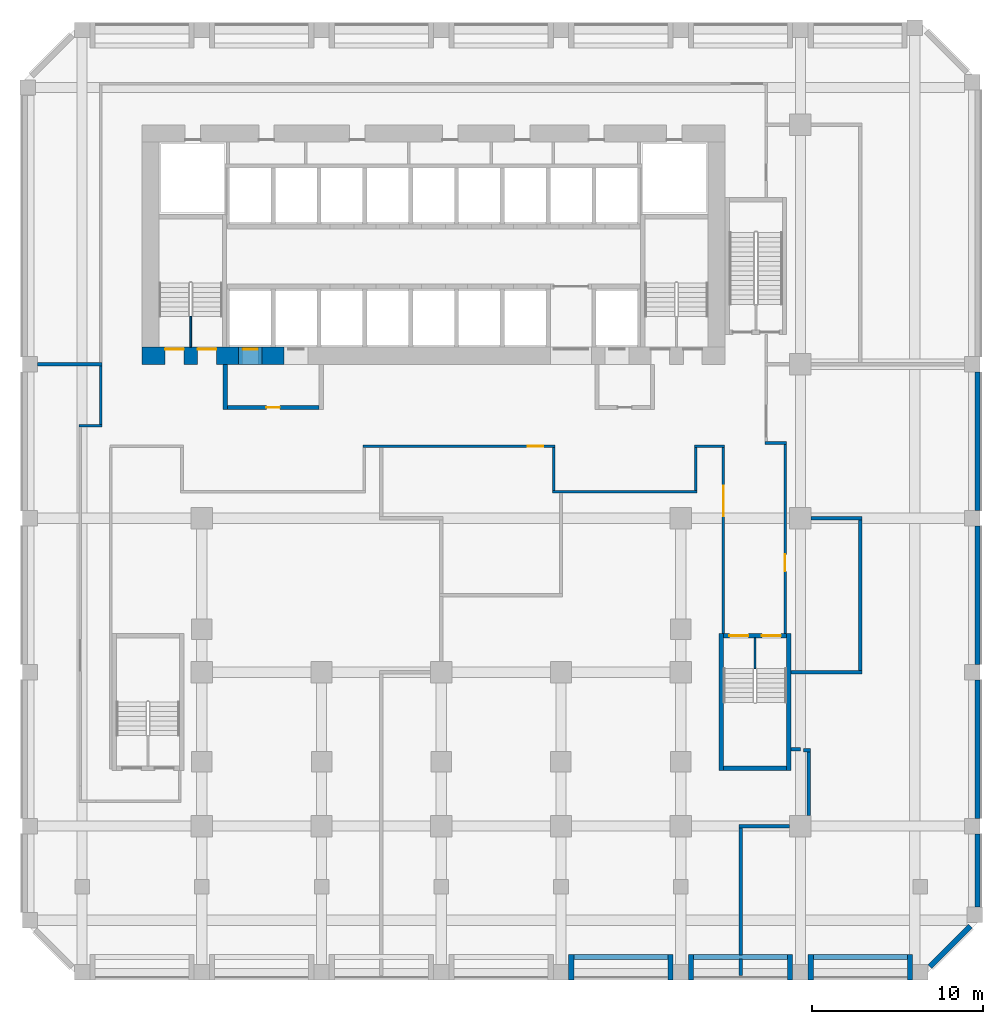
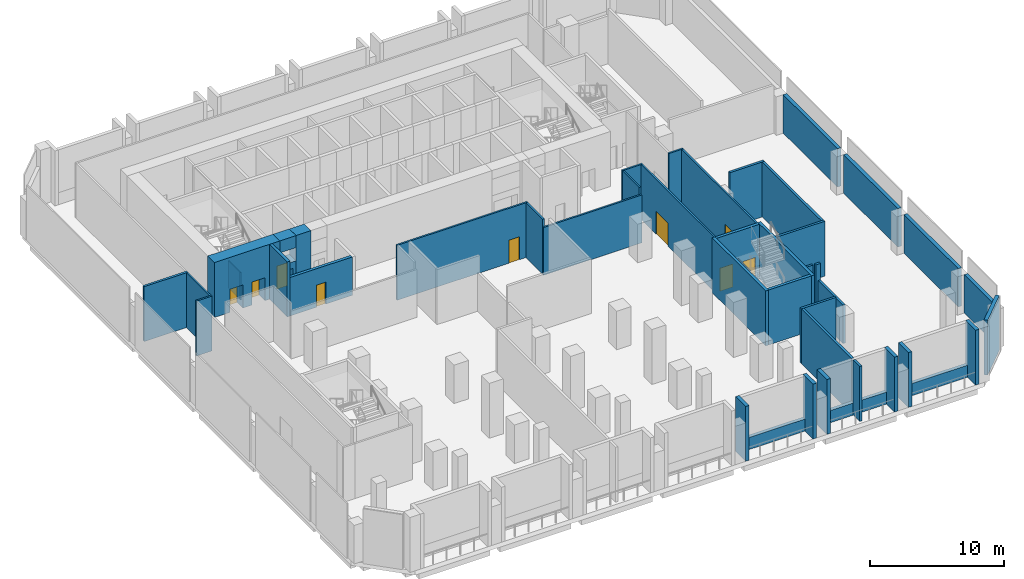
# One storey, part 3 of 10: 46 walls, 9 doors, 9 openings.
"""IFC4 building model written with IfcOpenShell, lengths in metres."""

import ifcopenshell
import ifcopenshell.guid

model = None  # the IFC model being written
_history = None  # IfcOwnerHistory: only IFC2X3 demands one
_inside = {}  # id of a spatial element -> (the spatial element, [elements in it])
_under = {}  # id of a project, library or spatial element -> (it, [spatial elements below it])
_declared = {}  # id of a project -> (the project, [libraries it declares])
_typed = {}  # id of a type object -> (the type object, [elements of that type])
_made_of = {}  # id of a material, layer set ... -> (it, [elements and type objects made of it])


def new_model(schema):
    """Start an empty IFC model of exactly this schema.

    Asked for "IFC4X3", IfcOpenShell would pick the latest addendum, in which some entities
    have other attributes; the version numbers below select the first issue.
    IFC2X3 requires an IfcOwnerHistory on every rooted entity: one is made here for all.
    """
    global model, _history
    if schema == "IFC4X3":
        model = ifcopenshell.file(schema_version=(4, 3, 0, 0))
    else:
        model = ifcopenshell.file(schema=schema)
    _inside.clear()
    _under.clear()
    _declared.clear()
    _typed.clear()
    _made_of.clear()
    _history = None
    if model.schema == "IFC2X3":
        org = make("IfcOrganization", Name="unknown")
        user = make(
            "IfcPersonAndOrganization",
            ThePerson=make("IfcPerson", FamilyName="unknown"),
            TheOrganization=org,
        )
        app = make(
            "IfcApplication",
            ApplicationDeveloper=org,
            Version="unknown",
            ApplicationFullName="unknown",
            ApplicationIdentifier="unknown",
        )
        _history = make(
            "IfcOwnerHistory",
            OwningUser=user,
            OwningApplication=app,
            ChangeAction="ADDED",
            CreationDate=0,
        )
    return model


def make(cls, **values):
    """One entity of the class cls with the attributes given. An attribute that is None is left unset."""
    return model.create_entity(
        cls, **{name: value for name, value in values.items() if value is not None}
    )


def rooted(cls, **values):
    """An entity with a GlobalId (a new one), such as an element, a storey or a relation."""
    return make(cls, GlobalId=ifcopenshell.guid.new(), OwnerHistory=_history, **values)


def si_unit(unit_type, name, prefix=None):
    """IfcSIUnit, for example si_unit("LENGTHUNIT", "METRE", prefix="MILLI")."""
    return make("IfcSIUnit", UnitType=unit_type, Prefix=prefix, Name=name)


def assignment(units):
    """IfcUnitAssignment: the units of a project."""
    return None if units is None else make("IfcUnitAssignment", Units=units)


def point(xyz):
    """IfcCartesianPoint."""
    return None if xyz is None else make("IfcCartesianPoint", Coordinates=xyz)


def direction(xyz):
    """IfcDirection."""
    return None if xyz is None else make("IfcDirection", DirectionRatios=xyz)


def frame(location, z_axis=None, x_axis=None):
    """IfcAxis2Placement3D, a coordinate frame: its origin and axes. An axis left out is left unset."""
    return make(
        "IfcAxis2Placement3D",
        Location=point(location),
        Axis=direction(z_axis),
        RefDirection=direction(x_axis),
    )


def frame_2d(location, x_axis=None):
    """IfcAxis2Placement2D, a coordinate frame in the plane: its origin and x axis."""
    return make(
        "IfcAxis2Placement2D", Location=point(location), RefDirection=direction(x_axis)
    )


def origin():
    """The frame at (0, 0, 0) with its axes left unset."""
    return frame((0.0, 0.0, 0.0))


def place(relative_to, where):
    """IfcLocalPlacement: puts the frame where relative to a parent placement (None: the world)."""
    return make(
        "IfcLocalPlacement", PlacementRelTo=relative_to, RelativePlacement=where
    )


def context(
    kind, dimensions, precision=None, world=None, true_north=None, identifier=None
):
    """IfcGeometricRepresentationContext, for example the 3D "Model" context."""
    return make(
        "IfcGeometricRepresentationContext",
        ContextIdentifier=identifier,
        ContextType=kind,
        CoordinateSpaceDimension=dimensions,
        Precision=precision,
        WorldCoordinateSystem=world,
        TrueNorth=true_north,
    )


def subcontext(parent, identifier, kind, view, scale=None):
    """IfcGeometricRepresentationSubContext, for example "Body" below "Model"."""
    return make(
        "IfcGeometricRepresentationSubContext",
        ContextIdentifier=identifier,
        ContextType=kind,
        ParentContext=parent,
        TargetScale=scale,
        TargetView=view,
    )


def project(units=None, contexts=None):
    """IfcProject with its units and contexts."""
    return rooted(
        "IfcProject",
        Name="project",
        RepresentationContexts=contexts,
        UnitsInContext=assignment(units),
    )


def spatial(cls, under=None, at=None, **own):
    """A site, building, storey or space (cls), placed at a placement, below another one or the project."""
    s = rooted(cls, ObjectPlacement=at, **own)
    if under is not None:
        _under.setdefault(under.id(), (under, []))[1].append(s)
    return s


def profile(cls, at=None, kind="AREA", **sizes):
    """A parametric profile (cls). Its sizes go by their IFC names, for example OverallWidth=200.0."""
    return make(cls, ProfileType=kind, Position=at, **sizes)


def rectangle(**sizes):
    """IfcRectangleProfileDef."""
    return profile("IfcRectangleProfileDef", **sizes)


def extrude(swept, where, along, depth):
    """IfcExtrudedAreaSolid: the profile swept, set in the frame where, extruded along a direction by depth."""
    return make(
        "IfcExtrudedAreaSolid",
        SweptArea=swept,
        Position=where,
        ExtrudedDirection=direction(along),
        Depth=depth,
    )


def shape(context_of_items, identifier, shape_type, items):
    """IfcShapeRepresentation: the items that make up one representation, for example the "Body"."""
    return make(
        "IfcShapeRepresentation",
        ContextOfItems=context_of_items,
        RepresentationIdentifier=identifier,
        RepresentationType=shape_type,
        Items=items,
    )


def source(mapping_origin, context_of_items, identifier, shape_type, items):
    """IfcRepresentationMap: a shape defined once, which mapped items show again and again."""
    return make(
        "IfcRepresentationMap",
        MappingOrigin=mapping_origin,
        MappedRepresentation=shape(context_of_items, identifier, shape_type, items),
    )


def transform(
    local_origin,
    x_axis=None,
    y_axis=None,
    z_axis=None,
    scale=None,
    scale2=None,
    scale3=None,
    uniform=True,
):
    """IfcCartesianTransformationOperator3D, or its non-uniform kind. x_axis, y_axis, z_axis: its Axis1, 2, 3."""
    if uniform:
        return make(
            "IfcCartesianTransformationOperator3D",
            Axis1=direction(x_axis),
            Axis2=direction(y_axis),
            LocalOrigin=point(local_origin),
            Scale=scale,
            Axis3=direction(z_axis),
        )
    return make(
        "IfcCartesianTransformationOperator3DnonUniform",
        Axis1=direction(x_axis),
        Axis2=direction(y_axis),
        LocalOrigin=point(local_origin),
        Scale=scale,
        Axis3=direction(z_axis),
        Scale2=scale2,
        Scale3=scale3,
    )


def mapped(mapping_source, mapping_target):
    """IfcMappedItem: shows the shape of a source again, moved by a transform."""
    return make(
        "IfcMappedItem", MappingSource=mapping_source, MappingTarget=mapping_target
    )


def material(Name=None, Category=None):
    """IfcMaterial."""
    return make("IfcMaterial", Name=Name, Category=Category)


def layer(
    of_material, thickness, ventilated=None, Name=None, Category=None, Priority=None
):
    """IfcMaterialLayer: one layer of a wall or slab, of a material (None: an air gap)."""
    return make(
        "IfcMaterialLayer",
        Material=of_material,
        LayerThickness=thickness,
        IsVentilated=ventilated,
        Name=Name,
        Category=Category,
        Priority=Priority,
    )


def layer_set(layers, Name=None):
    """IfcMaterialLayerSet."""
    return make("IfcMaterialLayerSet", MaterialLayers=layers, LayerSetName=Name)


def made_of(thing, what):
    """Note that an element or type object is made of a material, layer set ...; save() writes the relation."""
    if what is not None:
        _made_of.setdefault(what.id(), (what, []))[1].append(thing)
    return thing


def type_object(cls, material=None, **own):
    """A type object (cls), such as IfcWallType, which elements share."""
    return made_of(rooted(cls, **own), material)


def element(
    cls,
    number,
    at=None,
    inside=None,
    cuts=None,
    type_object=None,
    material=None,
    context=None,
    identifier="Body",
    shape_type=None,
    held_by="IfcProductDefinitionShape",
    body=None,
    shapes=None,
    **own,
):
    """One element of the class cls, such as IfcWall. Its Tag is "e" and its number.

    at: its placement. inside: the storey or other place that contains it. cuts: it is an
    opening in that element (IfcRelVoidsElement). A single representation is given by context,
    identifier, shape_type and body (its items); several are given by shapes. held_by: the class
    of the entity that holds the representations. save() writes the other relations.
    """
    e = rooted(cls, Tag="e%d" % number, ObjectPlacement=at, **own)
    if body is not None:
        shapes = [shape(context, identifier, shape_type, body)]
    if shapes is not None:
        e.Representation = make(held_by, Representations=shapes)
    if inside is not None:
        _inside.setdefault(inside.id(), (inside, []))[1].append(e)
    if cuts is not None:
        rooted(
            "IfcRelVoidsElement", RelatingBuildingElement=cuts, RelatedOpeningElement=e
        )
    if type_object is not None:
        _typed.setdefault(type_object.id(), (type_object, []))[1].append(e)
    return made_of(e, material)


def fill(opening, filler):
    """IfcRelFillsElement: the door or window that sits in an opening."""
    return rooted(
        "IfcRelFillsElement",
        RelatingOpeningElement=opening,
        RelatedBuildingElement=filler,
    )


def aggregate(whole, parts):
    """IfcRelAggregates: a whole, such as a stair, and the parts it consists of."""
    return rooted("IfcRelAggregates", RelatingObject=whole, RelatedObjects=parts)


def save(model, path):
    """Write the relations noted so far, then the file.

    IfcRelAggregates (storeys below a building ...), IfcRelContainedInSpatialStructure (elements
    in a storey), IfcRelDefinesByType, IfcRelAssociatesMaterial and IfcRelDeclares: one each for
    every whole, place, type object, material and project.
    """
    for whole, parts in _under.values():
        aggregate(whole, parts)
    for where, things in _inside.values():
        rooted(
            "IfcRelContainedInSpatialStructure",
            RelatedElements=things,
            RelatingStructure=where,
        )
    for kind, things in _typed.values():
        rooted("IfcRelDefinesByType", RelatedObjects=things, RelatingType=kind)
    for what, things in _made_of.values():
        rooted("IfcRelAssociatesMaterial", RelatedObjects=things, RelatingMaterial=what)
    for by, libraries in _declared.values():
        rooted("IfcRelDeclares", RelatingContext=by, RelatedDefinitions=libraries)
    model.write(path)


model = new_model("IFC4")

# Units and contexts
model_context = context("Model", 3, precision=1e-05, world=origin(), true_north=direction((0.0, 1.0)))
body_context = subcontext(model_context, "Body", "Model", "MODEL_VIEW")
ifc_project = project(units=[si_unit("LENGTHUNIT", "METRE"), si_unit("AREAUNIT", "SQUARE_METRE"), si_unit("VOLUMEUNIT", "CUBIC_METRE"), si_unit("PLANEANGLEUNIT", "RADIAN"), si_unit("MASSUNIT", "GRAM", prefix="KILO")], contexts=[model_context])

# Site, building, storey
site_placement = place(None, origin())
site = spatial("IfcSite", under=ifc_project, at=site_placement, CompositionType="ELEMENT")
building_placement = place(site_placement, origin())
building = spatial("IfcBuilding", under=site, at=building_placement, Name="Kilnfold Tower and Market Hall", CompositionType="ELEMENT")
storey_placement = place(building_placement, frame((0.0, 0.0, 95.199951171875)))
storey = spatial("IfcBuildingStorey", under=building, at=storey_placement, Name="L22 Refuge Transfer Level", CompositionType="ELEMENT", Elevation=95.199951171875)

# Walls
ifc_material_1 = material(Name="Gypsum board on steel studs", Category="steel")
ifc_layer_1 = layer(ifc_material_1, 0.14990234375)
ifc_layer_set_1 = layer_set([ifc_layer_1], Name="Gypsum board on steel studs")
wall_type_1 = type_object("IfcWallType", Name="WALL CORRIDOR 150", PredefinedType="PARTITIONING", material=ifc_layer_set_1)
wall_1_placement = place(storey_placement, frame((-18.324951171875, 4.39990234375, 0.0), z_axis=(0.0, 0.0, 1.0), x_axis=(-1.0, 0.0, 0.0)))
element("IfcWall", 1, at=wall_1_placement, inside=storey, type_object=wall_type_1, Name="Partition LY15.2", PredefinedType="PARTITIONING", context=body_context, shape_type="SweptSolid", body=[
    extrude(rectangle(XDim=1.35009765625, YDim=0.14990234375, at=frame_2d((0.675048828125, 0.0))), origin(), (0.0, 0.0, 1.0), 5.0),
])
wall_2_placement = place(storey_placement, frame((-18.39990234375, 4.47509765625, 0.0), z_axis=(0.0, 0.0, 1.0), x_axis=(0.0, 1.0, 0.0)))
element("IfcWall", 2, at=wall_2_placement, inside=storey, type_object=wall_type_1, Name="Partition LY15.3", PredefinedType="PARTITIONING", context=body_context, shape_type="SweptSolid", body=[
    extrude(rectangle(XDim=3.434814453125, YDim=0.14990234375, at=frame_2d((1.71728515625, 0.0))), origin(), (0.0, 0.0, 1.0), 5.0),
])

# Wall, opening, door
wall_3_placement = place(storey_placement, frame((-3.074951171875, 3.199951171875, 0.0), z_axis=(0.0, 0.0, 1.0), x_axis=(1.0, 0.0, 0.0)))
wall_3 = element("IfcWall", 3, at=wall_3_placement, inside=storey, type_object=wall_type_1, Name="Partition LY15.4", PredefinedType="PARTITIONING", context=body_context, shape_type="SweptSolid", body=[
    extrude(rectangle(XDim=11.22998046875, YDim=0.14990234375, at=frame_2d((5.614990234375, 0.0))), origin(), (0.0, 0.0, 1.0), 5.0),
])
opening_1_placement = place(wall_3_placement, frame((9.6259765625, 0.0, 0.0)))
opening_1 = element("IfcOpeningElement", 4, at=opening_1_placement, cuts=wall_3, Name="Opening D2", PredefinedType="OPENING", context=body_context, shape_type="SweptSolid", body=[
    extrude(rectangle(XDim=0.89990234375, YDim=2.10009765625, at=frame_2d((0.449951171875, 1.050048828125))), frame((0.0, 0.0849609375, 0.0), z_axis=(0.0, -1.0, 0.0), x_axis=(1.0, 0.0, 0.0)), (0.0, 0.0, 1.0), 0.169921875),
])
ifc_material_2 = material(Name="Timber veneer door leaf in steel frame", Category="steel")
door_type_1 = type_object("IfcDoorType", Name="DOOR ROOM 900 X2100", OperationType="NOTDEFINED", PredefinedType="DOOR", material=ifc_material_2)
door_1_placement = place(opening_1_placement, origin())
door_1 = element("IfcDoor", 5, at=door_1_placement, inside=storey, type_object=door_type_1, Name="Door D2", OperationType="SINGLE_SWING_RIGHT", OverallHeight=2.10009765625, OverallWidth=0.89990234375, PredefinedType="DOOR", context=body_context, shape_type="SweptSolid", body=[
    extrude(rectangle(XDim=0.89990234375, YDim=2.10009765625, at=frame_2d((0.449951171875, 1.050048828125))), frame((0.0, 0.02490234375, 0.0), z_axis=(0.0, -1.0, 0.0), x_axis=(1.0, 0.0, 0.0)), (0.0, 0.0, 1.0), 0.050048828125),
])
fill(opening_1, door_1)

# Walls
wall_4_placement = place(storey_placement, frame((8.0048828125, 0.550048828125, 0.0), z_axis=(0.0, 0.0, 1.0), x_axis=(1.0, 0.0, 0.0)))
element("IfcWall", 6, at=wall_4_placement, inside=storey, type_object=wall_type_1, Name="Partition LY15.14", PredefinedType="PARTITIONING", context=body_context, shape_type="SweptSolid", body=[
    extrude(rectangle(XDim=8.4501953125, YDim=0.14990234375, at=frame_2d((4.22509765625, 0.0))), origin(), (0.0, 0.0, 1.0), 4.35009765625),
])
wall_5_placement = place(storey_placement, frame((8.080078125, 3.125, 0.0), z_axis=(0.0, 0.0, 1.0), x_axis=(0.0, -1.0, 0.0)))
element("IfcWall", 7, at=wall_5_placement, inside=storey, type_object=wall_type_1, Name="Partition LY15.15", PredefinedType="PARTITIONING", context=body_context, shape_type="SweptSolid", body=[
    extrude(rectangle(XDim=2.5, YDim=0.14990234375, at=frame_2d((1.25, 0.0))), origin(), (0.0, 0.0, 1.0), 5.0),
])

# Wall, opening, door
wall_6_placement = place(storey_placement, frame((18.0, 3.125, 0.0), z_axis=(0.0, 0.0, 1.0), x_axis=(0.0, -1.0, 0.0)))
wall_6 = element("IfcWall", 8, at=wall_6_placement, inside=storey, type_object=wall_type_1, Name="Partition LY15.16", PredefinedType="PARTITIONING", context=body_context, shape_type="SweptSolid", body=[
    extrude(rectangle(XDim=10.875, YDim=0.14990234375, at=frame_2d((5.4375, 0.0))), origin(), (0.0, 0.0, 1.0), 5.0),
])
opening_2_placement = place(wall_6_placement, frame((2.217041015625, 0.0, 0.0)))
opening_2 = element("IfcOpeningElement", 9, at=opening_2_placement, cuts=wall_6, Name="Opening D5", PredefinedType="OPENING", context=body_context, shape_type="SweptSolid", body=[
    extrude(rectangle(XDim=1.800048828125, YDim=2.10009765625, at=frame_2d((0.89990234375, 1.050048828125))), frame((0.0, 0.0849609375, 0.0), z_axis=(0.0, -1.0, 0.0), x_axis=(1.0, 0.0, 0.0)), (0.0, 0.0, 1.0), 0.169921875),
])
ifc_material_3 = material(Name="Timber veneer door leaf in steel frame", Category="steel")
door_type_2 = type_object("IfcDoorType", Name="DOOR DOUBLE 1800 X2100", OperationType="NOTDEFINED", PredefinedType="DOOR", material=ifc_material_3)
door_2_placement = place(opening_2_placement, origin())
door_2 = element("IfcDoor", 10, at=door_2_placement, inside=storey, type_object=door_type_2, Name="Door D5", OperationType="DOUBLE_DOOR_SINGLE_SWING", OverallHeight=2.10009765625, OverallWidth=1.800048828125, PredefinedType="DOOR", context=body_context, shape_type="SweptSolid", body=[
    extrude(rectangle(XDim=1.800048828125, YDim=2.10009765625, at=frame_2d((0.89990234375, 1.050048828125))), frame((0.0, 0.02490234375, 0.0), z_axis=(0.0, -1.0, 0.0), x_axis=(1.0, 0.0, 0.0)), (0.0, 0.0, 1.0), 0.050048828125),
])
fill(opening_2, door_2)

# Walls
wall_7_placement = place(storey_placement, frame((16.304931640625, 3.199951171875, 0.0), z_axis=(0.0, 0.0, 1.0), x_axis=(1.0, 0.0, 0.0)))
element("IfcWall", 11, at=wall_7_placement, inside=storey, type_object=wall_type_1, Name="Partition LY15.17", PredefinedType="PARTITIONING", context=body_context, shape_type="SweptSolid", body=[
    extrude(rectangle(XDim=1.77001953125, YDim=0.14990234375, at=frame_2d((0.885009765625, 0.0))), origin(), (0.0, 0.0, 1.0), 5.0),
])
wall_8_placement = place(storey_placement, frame((16.3798828125, 0.625, 0.0), z_axis=(0.0, 0.0, 1.0), x_axis=(0.0, 1.0, 0.0)))
element("IfcWall", 12, at=wall_8_placement, inside=storey, type_object=wall_type_1, Name="Partition LY15.18", PredefinedType="PARTITIONING", context=body_context, shape_type="SweptSolid", body=[
    extrude(rectangle(XDim=2.5, YDim=0.14990234375, at=frame_2d((1.25, 0.0))), origin(), (0.0, 0.0, 1.0), 5.0),
])

# Wall, opening, door
wall_9_placement = place(storey_placement, frame((21.60009765625, -7.75, 0.0), z_axis=(0.0, 0.0, 1.0), x_axis=(0.0, 1.0, 0.0)))
wall_9 = element("IfcWall", 13, at=wall_9_placement, inside=storey, type_object=wall_type_1, Name="Partition LY15.19", PredefinedType="PARTITIONING", context=body_context, shape_type="SweptSolid", body=[
    extrude(rectangle(XDim=11.074951171875, YDim=0.14990234375, at=frame_2d((5.53759765625, 0.0))), origin(), (0.0, 0.0, 1.0), 5.0),
])
opening_3_placement = place(wall_9_placement, frame((3.637939453125, 0.0, 0.0)))
opening_3 = element("IfcOpeningElement", 14, at=opening_3_placement, cuts=wall_9, Name="Opening D4", PredefinedType="OPENING", context=body_context, shape_type="SweptSolid", body=[
    extrude(rectangle(XDim=1.0, YDim=2.10009765625, at=frame_2d((0.5, 1.050048828125))), frame((0.0, 0.0849609375, 0.0), z_axis=(0.0, -1.0, 0.0), x_axis=(1.0, 0.0, 0.0)), (0.0, 0.0, 1.0), 0.169921875),
])
ifc_material_4 = material(Name="Timber veneer door leaf in steel frame", Category="steel")
door_type_3 = type_object("IfcDoorType", Name="DOOR SERVICE 1000 X2100", OperationType="NOTDEFINED", PredefinedType="DOOR", material=ifc_material_4)
door_3_placement = place(opening_3_placement, origin())
door_3 = element("IfcDoor", 15, at=door_3_placement, inside=storey, type_object=door_type_3, Name="Door D4", OperationType="SINGLE_SWING_LEFT", OverallHeight=2.10009765625, OverallWidth=1.0, PredefinedType="DOOR", context=body_context, shape_type="SweptSolid", body=[
    extrude(rectangle(XDim=1.0, YDim=2.10009765625, at=frame_2d((0.5, 1.050048828125))), frame((0.0, 0.02490234375, 0.0), z_axis=(0.0, -1.0, 0.0), x_axis=(1.0, 0.0, 0.0)), (0.0, 0.0, 1.0), 0.050048828125),
])
fill(opening_3, door_3)

# Walls
wall_10_placement = place(storey_placement, frame((21.675048828125, 3.39990234375, 0.0), z_axis=(0.0, 0.0, 1.0), x_axis=(-1.0, 0.0, 0.0)))
element("IfcWall", 16, at=wall_10_placement, inside=storey, type_object=wall_type_1, Name="Partition LY15.21", PredefinedType="PARTITIONING", context=body_context, shape_type="SweptSolid", body=[
    extrude(rectangle(XDim=1.25, YDim=0.14990234375, at=frame_2d((0.625, 0.0))), origin(), (0.0, 0.0, 1.0), 5.0),
])
ifc_material_5 = material(Name="Gypsum board on steel studs", Category="steel")
ifc_layer_2 = layer(ifc_material_5, 0.199951171875)
ifc_layer_set_2 = layer_set([ifc_layer_2], Name="Gypsum board on steel studs")
wall_type_2 = type_object("IfcWallType", Name="WALL PARTY 200", PredefinedType="PARTITIONING", material=ifc_layer_set_2)
wall_11_placement = place(storey_placement, frame((-22.10009765625, 8.0, 0.0), z_axis=(0.0, 0.0, 1.0), x_axis=(1.0, 0.0, 0.0)))
element("IfcWall", 17, at=wall_11_placement, inside=storey, type_object=wall_type_2, Name="Partition LY15.34", PredefinedType="PARTITIONING", context=body_context, shape_type="SweptSolid", body=[
    extrude(rectangle(XDim=3.773193359375, YDim=0.199951171875, at=frame_2d((1.88671875, 0.0))), origin(), (0.0, 0.0, 1.0), 5.0),
])
wall_12_placement = place(storey_placement, frame((22.5, -14.5, 0.0), z_axis=(0.0, 0.0, 1.0), x_axis=(-1.0, 0.0, 0.0)))
element("IfcWall", 18, at=wall_12_placement, inside=storey, type_object=wall_type_2, Name="Partition LY15.37", PredefinedType="PARTITIONING", context=body_context, shape_type="SweptSolid", body=[
    extrude(rectangle(XDim=0.550048828125, YDim=0.199951171875, at=frame_2d((0.27490234375, 0.0))), origin(), (0.0, 0.0, 1.0), 5.0),
])
wall_13_placement = place(storey_placement, frame((23.08203125, -14.577880859375, 0.0), z_axis=(0.0, 0.0, 1.0), x_axis=(-1.0, 0.0, 0.0)))
element("IfcWall", 19, at=wall_13_placement, inside=storey, type_object=wall_type_2, Name="Partition LY15.38", PredefinedType="PARTITIONING", context=body_context, shape_type="SweptSolid", body=[
    extrude(rectangle(XDim=0.402099609375, YDim=0.199951171875, at=frame_2d((0.201171875, 0.0))), origin(), (0.0, 0.0, 1.0), 5.0),
])
wall_14_placement = place(storey_placement, frame((22.98193359375, -18.375, 0.0), z_axis=(0.0, 0.0, 1.0), x_axis=(0.0, 1.0, 0.0)))
element("IfcWall", 20, at=wall_14_placement, inside=storey, type_object=wall_type_2, Name="Partition LY15.39", PredefinedType="PARTITIONING", context=body_context, shape_type="SweptSolid", body=[
    extrude(rectangle(XDim=3.697021484375, YDim=0.199951171875, at=frame_2d((1.8486328125, 0.0))), origin(), (0.0, 0.0, 1.0), 3.5),
])
wall_15_placement = place(storey_placement, frame((18.89990234375, -19.0, 0.0), z_axis=(0.0, 0.0, 1.0), x_axis=(1.0, 0.0, 0.0)))
element("IfcWall", 21, at=wall_15_placement, inside=storey, type_object=wall_type_2, Name="Partition LY15.40", PredefinedType="PARTITIONING", context=body_context, shape_type="SweptSolid", body=[
    extrude(rectangle(XDim=2.97509765625, YDim=0.199951171875, at=frame_2d((1.487548828125, 0.0))), origin(), (0.0, 0.0, 1.0), 5.0),
])
wall_16_placement = place(storey_placement, frame((19.0, -27.75, 0.0), z_axis=(0.0, 0.0, 1.0), x_axis=(0.0, 1.0, 0.0)))
element("IfcWall", 22, at=wall_16_placement, inside=storey, type_object=wall_type_2, Name="Partition LY15.41", PredefinedType="PARTITIONING", context=body_context, shape_type="SweptSolid", body=[
    extrude(rectangle(XDim=0.97998046875, YDim=0.199951171875, at=frame_2d((0.489990234375, 0.0))), origin(), (0.0, 0.0, 1.0), 5.0),
])
wall_17_placement = place(storey_placement, frame((19.0, -26.530029296875, 0.0), z_axis=(0.0, 0.0, 1.0), x_axis=(0.0, 1.0, 0.0)))
element("IfcWall", 23, at=wall_17_placement, inside=storey, type_object=wall_type_2, Name="Partition LY15.42", PredefinedType="PARTITIONING", context=body_context, shape_type="SweptSolid", body=[
    extrude(rectangle(XDim=7.429931640625, YDim=0.199951171875, at=frame_2d((3.71484375, 0.0))), origin(), (0.0, 0.0, 1.0), 5.0),
])
wall_18_placement = place(storey_placement, frame((23.125, -1.0, 0.0), z_axis=(0.0, 0.0, 1.0), x_axis=(1.0, 0.0, 0.0)))
element("IfcWall", 24, at=wall_18_placement, inside=storey, type_object=wall_type_2, Name="Partition LY15.43", PredefinedType="PARTITIONING", context=body_context, shape_type="SweptSolid", body=[
    extrude(rectangle(XDim=2.97509765625, YDim=0.199951171875, at=frame_2d((1.487548828125, 0.0))), origin(), (0.0, 0.0, 1.0), 5.0),
])
wall_19_placement = place(storey_placement, frame((26.0, -9.89990234375, 0.0), z_axis=(0.0, 0.0, 1.0), x_axis=(0.0, 1.0, 0.0)))
element("IfcWall", 25, at=wall_19_placement, inside=storey, type_object=wall_type_2, Name="Partition LY15.44", PredefinedType="PARTITIONING", context=body_context, shape_type="SweptSolid", body=[
    extrude(rectangle(XDim=8.7998046875, YDim=0.199951171875, at=frame_2d((4.39990234375, 0.0))), origin(), (0.0, 0.0, 1.0), 5.0),
])
wall_20_placement = place(storey_placement, frame((21.949951171875, -10.0, 0.0), z_axis=(0.0, 0.0, 1.0), x_axis=(1.0, 0.0, 0.0)))
element("IfcWall", 26, at=wall_20_placement, inside=storey, type_object=wall_type_2, Name="Partition LY15.45", PredefinedType="PARTITIONING", context=body_context, shape_type="SweptSolid", body=[
    extrude(rectangle(XDim=4.150146484375, YDim=0.199951171875, at=frame_2d((2.0751953125, 0.0))), origin(), (0.0, 0.0, 1.0), 5.0),
])

# Wall, openings, doors
ifc_material_6 = material(Name="Concrete C80", Category="concrete")
ifc_layer_3 = layer(ifc_material_6, 1.0)
ifc_layer_set_3 = layer_set([ifc_layer_3], Name="Concrete C80")
wall_type_3 = type_object("IfcWallType", Name="CORE WALL 1000 C80", PredefinedType="SHEAR", material=ifc_layer_set_3)
shared_shape_1 = source(origin(), body_context, "Body", "SweptSolid", [
    extrude(rectangle(XDim=5.6298828125, YDim=1.0, at=frame_2d((2.81494140625, 0.0))), origin(), (0.0, 0.0, 1.0), 5.0),
])
wall_21_placement = place(storey_placement, frame((-16.0, 8.5, 0.0), z_axis=(0.0, 0.0, 1.0), x_axis=(1.0, 0.0, 0.0)))
wall_21 = element("IfcWall", 27, at=wall_21_placement, inside=storey, type_object=wall_type_3, Name="Core outer wall south", PredefinedType="SHEAR", context=body_context, shape_type="MappedRepresentation", body=[
    mapped(shared_shape_1, transform((0.0, 0.0, 0.0))),
])
opening_4_placement = place(wall_21_placement, frame((1.35009765625, 0.0, 0.0)))
opening_4 = element("IfcOpeningElement", 28, at=opening_4_placement, cuts=wall_21, Name="Opening SD3", PredefinedType="OPENING", context=body_context, shape_type="SweptSolid", body=[
    extrude(rectangle(XDim=1.10009765625, YDim=2.10009765625, at=frame_2d((0.550048828125, 1.050048828125))), frame((0.0, 0.510009765625, 0.0), z_axis=(0.0, -1.0, 0.0), x_axis=(1.0, 0.0, 0.0)), (0.0, 0.0, 1.0), 1.02001953125),
])
opening_5_placement = place(wall_21_placement, frame((3.25, 0.0, 0.0)))
opening_5 = element("IfcOpeningElement", 29, at=opening_5_placement, cuts=wall_21, Name="Opening SD3", PredefinedType="OPENING", context=body_context, shape_type="SweptSolid", body=[
    extrude(rectangle(XDim=1.10009765625, YDim=2.10009765625, at=frame_2d((0.550048828125, 1.050048828125))), frame((0.0, 0.510009765625, 0.0), z_axis=(0.0, -1.0, 0.0), x_axis=(1.0, 0.0, 0.0)), (0.0, 0.0, 1.0), 1.02001953125),
])
ifc_material_7 = material(Name="Steel door set with fire-resisting leaf", Category="steel")
door_type_4 = type_object("IfcDoorType", Name="STAIR REFUGE DOOR 1100X2100", OperationType="NOTDEFINED", PredefinedType="DOOR", material=ifc_material_7)
door_4_placement = place(opening_4_placement, origin())
door_4 = element("IfcDoor", 30, at=door_4_placement, inside=storey, type_object=door_type_4, Name="Exit stair ST1 door from refuge", OperationType="SINGLE_SWING_RIGHT", OverallHeight=2.10009765625, OverallWidth=1.10009765625, PredefinedType="DOOR", context=body_context, shape_type="SweptSolid", body=[
    extrude(rectangle(XDim=1.10009765625, YDim=2.10009765625, at=frame_2d((0.550048828125, 1.050048828125))), frame((0.0, 0.40478515625, 0.0), z_axis=(0.0, -1.0, 0.0), x_axis=(1.0, 0.0, 0.0)), (0.0, 0.0, 1.0), 0.050048828125),
])
fill(opening_4, door_4)
door_5_placement = place(opening_5_placement, origin())
door_5 = element("IfcDoor", 31, at=door_5_placement, inside=storey, type_object=door_type_4, Name="Exit stair ST1 door to refuge", OperationType="SINGLE_SWING_LEFT", OverallHeight=2.10009765625, OverallWidth=1.10009765625, PredefinedType="DOOR", context=body_context, shape_type="SweptSolid", body=[
    extrude(rectangle(XDim=1.10009765625, YDim=2.10009765625, at=frame_2d((0.550048828125, 1.050048828125))), frame((0.0, 0.40478515625, 0.0), z_axis=(0.0, -1.0, 0.0), x_axis=(1.0, 0.0, 0.0)), (0.0, 0.0, 1.0), 0.050048828125),
])
fill(opening_5, door_5)

# Walls
shared_shape_2 = source(origin(), body_context, "Body", "SweptSolid", [
    extrude(rectangle(XDim=1.280029296875, YDim=1.0, at=frame_2d((0.64013671875, 0.0))), origin(), (0.0, 0.0, 1.0), 5.0),
])
wall_22_placement = place(storey_placement, frame((-8.969970703125, 8.5, 0.0), z_axis=(0.0, 0.0, 1.0), x_axis=(1.0, 0.0, 0.0)))
element("IfcWall", 32, at=wall_22_placement, inside=storey, type_object=wall_type_3, Name="Core outer wall south", PredefinedType="SHEAR", context=body_context, shape_type="MappedRepresentation", body=[
    mapped(shared_shape_2, transform((0.0, 0.0, 0.0))),
])
ifc_material_8 = material(Name="Concrete C80", Category="concrete")
ifc_layer_4 = layer(ifc_material_8, 0.25)
ifc_layer_set_4 = layer_set([ifc_layer_4], Name="Concrete C80")
wall_type_4 = type_object("IfcWallType", Name="CORE WALL 250 C80", PredefinedType="SHEAR", material=ifc_layer_set_4)
shared_shape_3 = source(origin(), body_context, "Body", "SweptSolid", [
    extrude(rectangle(XDim=3.699951171875, YDim=0.25, at=frame_2d((1.85009765625, 0.0))), origin(), (0.0, 0.0, 1.0), 5.0),
])
wall_23_placement = place(storey_placement, frame((18.0, -15.625, 0.0), z_axis=(0.0, 0.0, 1.0), x_axis=(1.0, 0.0, 0.0)))
element("IfcWall", 33, at=wall_23_placement, inside=storey, type_object=wall_type_4, Name="Stair enclosure ST4", PredefinedType="SHEAR", context=body_context, shape_type="MappedRepresentation", body=[
    mapped(shared_shape_3, transform((0.0, 0.0, 0.0))),
])

# Wall, openings, doors
wall_24_placement = place(storey_placement, frame((18.0, -7.875, 0.0), z_axis=(0.0, 0.0, 1.0), x_axis=(1.0, 0.0, 0.0)))
wall_24 = element("IfcWall", 34, at=wall_24_placement, inside=storey, type_object=wall_type_4, Name="Stair enclosure ST4", PredefinedType="SHEAR", context=body_context, shape_type="MappedRepresentation", body=[
    mapped(shared_shape_3, transform((0.0, 0.0, 0.0))),
])
opening_6_placement = place(wall_24_placement, frame((2.25, 0.0, 0.0)))
opening_6 = element("IfcOpeningElement", 35, at=opening_6_placement, cuts=wall_24, Name="Opening SD3", PredefinedType="OPENING", context=body_context, shape_type="SweptSolid", body=[
    extrude(rectangle(XDim=1.10009765625, YDim=2.10009765625, at=frame_2d((0.550048828125, 1.050048828125))), frame((0.0, 0.135009765625, 0.0), z_axis=(0.0, -1.0, 0.0), x_axis=(1.0, 0.0, 0.0)), (0.0, 0.0, 1.0), 0.27001953125),
])
opening_7_placement = place(wall_24_placement, frame((0.35009765625, 0.0, 0.0)))
opening_7 = element("IfcOpeningElement", 36, at=opening_7_placement, cuts=wall_24, Name="Opening SD3", PredefinedType="OPENING", context=body_context, shape_type="SweptSolid", body=[
    extrude(rectangle(XDim=1.10009765625, YDim=2.10009765625, at=frame_2d((0.550048828125, 1.050048828125))), frame((0.0, 0.135009765625, 0.0), z_axis=(0.0, -1.0, 0.0), x_axis=(1.0, 0.0, 0.0)), (0.0, 0.0, 1.0), 0.27001953125),
])
door_6_placement = place(opening_6_placement, origin())
door_6 = element("IfcDoor", 37, at=door_6_placement, inside=storey, type_object=door_type_4, Name="Exit stair ST4 door from refuge", OperationType="SINGLE_SWING_RIGHT", OverallHeight=2.10009765625, OverallWidth=1.10009765625, PredefinedType="DOOR", context=body_context, shape_type="SweptSolid", body=[
    extrude(rectangle(XDim=1.10009765625, YDim=2.10009765625, at=frame_2d((0.550048828125, 1.050048828125))), frame((0.0, 0.02490234375, 0.0), z_axis=(0.0, -1.0, 0.0), x_axis=(1.0, 0.0, 0.0)), (0.0, 0.0, 1.0), 0.050048828125),
])
fill(opening_6, door_6)
door_7_placement = place(opening_7_placement, origin())
door_7 = element("IfcDoor", 38, at=door_7_placement, inside=storey, type_object=door_type_4, Name="Exit stair ST4 door to refuge", OperationType="SINGLE_SWING_LEFT", OverallHeight=2.10009765625, OverallWidth=1.10009765625, PredefinedType="DOOR", context=body_context, shape_type="SweptSolid", body=[
    extrude(rectangle(XDim=1.10009765625, YDim=2.10009765625, at=frame_2d((0.550048828125, 1.050048828125))), frame((0.0, 0.02490234375, 0.0), z_axis=(0.0, -1.0, 0.0), x_axis=(1.0, 0.0, 0.0)), (0.0, 0.0, 1.0), 0.050048828125),
])
fill(opening_7, door_7)

# Walls
shared_shape_4 = source(origin(), body_context, "Body", "SweptSolid", [
    extrude(rectangle(XDim=8.0, YDim=0.25, at=frame_2d((4.0, 0.0))), origin(), (0.0, 0.0, 1.0), 5.0),
])
for number, where, z_axis, x_axis, name in (
    (39, (17.875, -15.75, 0.0), (0.0, 0.0, 1.0), (0.0, 1.0, 0.0), "Stair enclosure ST4"),
    (40, (21.824951171875, -15.75, 0.0), (0.0, 0.0, 1.0), (0.0, 1.0, 0.0), "Stair enclosure ST4"),
):
    element("IfcWall", number, at=place(storey_placement, frame(where, z_axis=z_axis, x_axis=x_axis)), inside=storey, type_object=wall_type_4, Name=name, PredefinedType="SHEAR", context=body_context, shape_type="MappedRepresentation", body=[
        mapped(shared_shape_4, transform((0.0, 0.0, 0.0))),
    ])
shared_shape_5 = source(origin(), body_context, "Body", "SweptSolid", [
    extrude(rectangle(XDim=1.400146484375, YDim=1.0, at=frame_2d((0.7001953125, 0.0))), origin(), (0.0, 0.0, 1.0), 1.099853515625),
])
wall_25_placement = place(storey_placement, frame((-10.3701171875, 8.5, 3.900146484375), z_axis=(0.0, 0.0, 1.0), x_axis=(1.0, 0.0, 0.0)))
element("IfcWall", 41, at=wall_25_placement, inside=storey, type_object=wall_type_3, Name="Core wall over opening", PredefinedType="SHEAR", context=body_context, shape_type="MappedRepresentation", body=[
    mapped(shared_shape_5, transform((0.0, 0.0, 0.0))),
])
ifc_material_9 = material(Name="Precast concrete C50/60", Category="concrete")
ifc_layer_5 = layer(ifc_material_9, 0.300048828125)
ifc_layer_set_5 = layer_set([ifc_layer_5], Name="Precast concrete C50/60")
wall_type_5 = type_object("IfcWallType", Name="PRECAST WALL 300", PredefinedType="SOLIDWALL", material=ifc_layer_set_5)
shared_shape_6 = source(origin(), body_context, "Body", "SweptSolid", [
    extrude(rectangle(XDim=5.5, YDim=0.300048828125, at=frame_2d((2.75, 0.0))), origin(), (0.0, 0.0, 1.0), 1.10009765625),
])
for number, where, z_axis, x_axis, name in (
    (42, (9.25, -26.64990234375, 0.0), (0.0, 0.0, 1.0), (1.0, 0.0, 0.0), "Knee wall L22 S"),
    (43, (16.25, -26.64990234375, 0.0), (0.0, 0.0, 1.0), (1.0, 0.0, 0.0), "Knee wall L22 S"),
    (44, (23.25, -26.64990234375, 0.0), (0.0, 0.0, 1.0), (1.0, 0.0, 0.0), "Knee wall L22 S"),
):
    element("IfcWall", number, at=place(storey_placement, frame(where, z_axis=z_axis, x_axis=x_axis)), inside=storey, type_object=wall_type_5, Name=name, PredefinedType="SOLIDWALL", context=body_context, shape_type="MappedRepresentation", body=[
        mapped(shared_shape_6, transform((0.0, 0.0, 0.0))),
    ])
shared_shape_7 = source(origin(), body_context, "Body", "SweptSolid", [
    extrude(rectangle(XDim=1.5, YDim=0.300048828125, at=frame_2d((0.75, 0.0))), origin(), (0.0, 0.0, 1.0), 5.0),
])
for number, where, z_axis, x_axis, name in (
    (45, (9.10009765625, -28.0, 0.0), (0.0, 0.0, 1.0), (0.0, 1.0, 0.0), "Plant wall L22 S"),
    (46, (14.89990234375, -28.0, 0.0), (0.0, 0.0, 1.0), (0.0, 1.0, 0.0), "Plant wall L22 S"),
    (47, (16.10009765625, -28.0, 0.0), (0.0, 0.0, 1.0), (0.0, 1.0, 0.0), "Plant wall L22 S"),
    (48, (21.89990234375, -28.0, 0.0), (0.0, 0.0, 1.0), (0.0, 1.0, 0.0), "Plant wall L22 S"),
    (49, (23.10009765625, -28.0, 0.0), (0.0, 0.0, 1.0), (0.0, 1.0, 0.0), "Plant wall L22 S"),
    (50, (28.89990234375, -28.0, 0.0), (0.0, 0.0, 1.0), (0.0, 1.0, 0.0), "Plant wall L22 S"),
):
    element("IfcWall", number, at=place(storey_placement, frame(where, z_axis=z_axis, x_axis=x_axis)), inside=storey, type_object=wall_type_5, Name=name, PredefinedType="SOLIDWALL", context=body_context, shape_type="MappedRepresentation", body=[
        mapped(shared_shape_7, transform((0.0, 0.0, 0.0))),
    ])
shared_shape_8 = source(origin(), body_context, "Body", "SweptSolid", [
    extrude(rectangle(XDim=3.35888671875, YDim=0.300048828125, at=frame_2d((1.679443359375, 0.0))), origin(), (0.0, 0.0, 1.0), 5.0),
])
wall_26_placement = place(storey_placement, frame((30.06884765625, -27.218994140625, 0.0), z_axis=(0.0, 0.0, 1.0), x_axis=(0.707143122278, 0.707070438228, 0.0)))
element("IfcWall", 51, at=wall_26_placement, inside=storey, type_object=wall_type_5, Name="Plant wall L22 SE", PredefinedType="SOLIDWALL", context=body_context, shape_type="MappedRepresentation", body=[
    mapped(shared_shape_8, transform((0.0, 0.0, 0.0))),
])
shared_shape_9 = source(origin(), body_context, "Body", "SweptSolid", [
    extrude(rectangle(XDim=4.28173828125, YDim=0.300048828125, at=frame_2d((2.140869140625, 0.0))), origin(), (0.0, 0.0, 1.0), 3.5),
])
wall_27_placement = place(storey_placement, frame((32.85009765625, -23.731689453125, 0.0), z_axis=(0.0, 0.0, 1.0), x_axis=(0.0, 1.0, 0.0)))
element("IfcWall", 52, at=wall_27_placement, inside=storey, type_object=wall_type_5, Name="Plant wall L22 E", PredefinedType="SOLIDWALL", context=body_context, shape_type="MappedRepresentation", body=[
    mapped(shared_shape_9, transform((0.0, 0.0, 0.0))),
])
shared_shape_10 = source(origin(), body_context, "Body", "SweptSolid", [
    extrude(rectangle(XDim=8.10009765625, YDim=0.300048828125, at=frame_2d((4.050048828125, 0.0))), origin(), (0.0, 0.0, 1.0), 3.5),
])
for number, where, z_axis, x_axis, name in (
    (53, (32.85009765625, -18.550048828125, 0.0), (0.0, 0.0, 1.0), (0.0, 1.0, 0.0), "Plant wall L22 E"),
    (54, (32.85009765625, -9.550048828125, 0.0), (0.0, 0.0, 1.0), (0.0, 1.0, 0.0), "Plant wall L22 E"),
    (55, (32.85009765625, -0.550048828125, 0.0), (0.0, 0.0, 1.0), (0.0, 1.0, 0.0), "Plant wall L22 E"),
):
    element("IfcWall", number, at=place(storey_placement, frame(where, z_axis=z_axis, x_axis=x_axis)), inside=storey, type_object=wall_type_5, Name=name, PredefinedType="SOLIDWALL", context=body_context, shape_type="MappedRepresentation", body=[
        mapped(shared_shape_10, transform((0.0, 0.0, 0.0))),
    ])

# Wall, opening, door
ifc_material_10 = material(Name="Gypsum shaft wall system")
ifc_layer_6 = layer(ifc_material_10, 1.0)
ifc_layer_set_6 = layer_set([ifc_layer_6], Name="Gypsum shaft wall system")
wall_type_6 = type_object("IfcWallType", Name="LOBBY WALL 1000", PredefinedType="PARTITIONING", material=ifc_layer_set_6)
shared_shape_11 = source(origin(), body_context, "Body", "SweptSolid", [
    extrude(rectangle(XDim=1.400146484375, YDim=1.0, at=frame_2d((0.7001953125, 0.0))), origin(), (0.0, 0.0, 1.0), 2.699951171875),
])
wall_28_placement = place(storey_placement, frame((-10.3701171875, 8.5, 0.0), z_axis=(0.0, 0.0, 1.0), x_axis=(1.0, 0.0, 0.0)))
wall_28 = element("IfcWall", 56, at=wall_28_placement, inside=storey, type_object=wall_type_6, Name="Core wall infill", PredefinedType="PARTITIONING", context=body_context, shape_type="MappedRepresentation", body=[
    mapped(shared_shape_11, transform((0.0, 0.0, 0.0))),
])
opening_8_placement = place(wall_28_placement, frame((0.25, 0.0, 0.0)))
opening_8 = element("IfcOpeningElement", 57, at=opening_8_placement, cuts=wall_28, Name="Opening LD1", PredefinedType="OPENING", context=body_context, shape_type="SweptSolid", body=[
    extrude(rectangle(XDim=0.89990234375, YDim=2.10009765625, at=frame_2d((0.449951171875, 1.050048828125))), frame((0.0, 0.510009765625, 0.0), z_axis=(0.0, -1.0, 0.0), x_axis=(1.0, 0.0, 0.0)), (0.0, 0.0, 1.0), 1.02001953125),
])
ifc_material_11 = material(Name="Steel door set with fire-resisting leaf", Category="steel")
door_type_5 = type_object("IfcDoorType", Name="FIREFIGHTING LANDING DOOR 900X2100", OperationType="NOTDEFINED", PredefinedType="DOOR", material=ifc_material_11)
door_8_placement = place(opening_8_placement, origin())
door_8 = element("IfcDoor", 58, at=door_8_placement, inside=storey, type_object=door_type_5, Name="Landing door FF1", OperationType="SLIDING_TO_LEFT", OverallHeight=2.10009765625, OverallWidth=0.89990234375, PredefinedType="DOOR", context=body_context, shape_type="SweptSolid", body=[
    extrude(rectangle(XDim=0.89990234375, YDim=2.10009765625, at=frame_2d((0.449951171875, 1.050048828125))), frame((0.0, 0.40478515625, 0.0), z_axis=(0.0, -1.0, 0.0), x_axis=(1.0, 0.0, 0.0)), (0.0, 0.0, 1.0), 0.050048828125),
])
fill(opening_8, door_8)

# Wall
ifc_material_12 = material(Name="Gypsum shaft wall system")
ifc_layer_7 = layer(ifc_material_12, 0.25)
ifc_layer_set_7 = layer_set([ifc_layer_7], Name="Gypsum shaft wall system")
wall_type_7 = type_object("IfcWallType", Name="LOBBY WALL 250", PredefinedType="PARTITIONING", material=ifc_layer_set_7)
shared_shape_12 = source(origin(), body_context, "Body", "SweptSolid", [
    extrude(rectangle(XDim=2.64990234375, YDim=0.25, at=frame_2d((1.324951171875, 0.0))), origin(), (0.0, 0.0, 1.0), 5.0),
])
wall_29_placement = place(storey_placement, frame((-11.135009765625, 5.35009765625, 0.0), z_axis=(0.0, 0.0, 1.0), x_axis=(0.0, 1.0, 0.0)))
element("IfcWall", 59, at=wall_29_placement, inside=storey, type_object=wall_type_7, Name="Firefighting lobby wall", PredefinedType="PARTITIONING", context=body_context, shape_type="MappedRepresentation", body=[
    mapped(shared_shape_12, transform((0.0, 0.0, 0.0))),
])

# Wall, opening, door
shared_shape_13 = source(origin(), body_context, "Body", "SweptSolid", [
    extrude(rectangle(XDim=5.360107421875, YDim=0.25, at=frame_2d((2.68017578125, 0.0))), origin(), (0.0, 0.0, 1.0), 3.5),
])
wall_30_placement = place(storey_placement, frame((-11.010009765625, 5.47509765625, 0.0), z_axis=(0.0, 0.0, 1.0), x_axis=(1.0, 0.0, 0.0)))
wall_30 = element("IfcWall", 60, at=wall_30_placement, inside=storey, type_object=wall_type_7, Name="Firefighting lobby wall", PredefinedType="PARTITIONING", context=body_context, shape_type="MappedRepresentation", body=[
    mapped(shared_shape_13, transform((0.0, 0.0, 0.0))),
])
opening_9_placement = place(wall_30_placement, frame((2.280029296875, 0.0, 0.0)))
opening_9 = element("IfcOpeningElement", 61, at=opening_9_placement, cuts=wall_30, Name="Opening VD1", PredefinedType="OPENING", context=body_context, shape_type="SweptSolid", body=[
    extrude(rectangle(XDim=0.800048828125, YDim=2.0, at=frame_2d((0.39990234375, 1.0))), frame((0.0, 0.135009765625, 0.0), z_axis=(0.0, -1.0, 0.0), x_axis=(1.0, 0.0, 0.0)), (0.0, 0.0, 1.0), 0.27001953125),
])
ifc_material_13 = material(Name="Steel door set with fire-resisting leaf", Category="steel")
door_type_6 = type_object("IfcDoorType", Name="FIREFIGHTING LOBBY DOOR 800X2000", OperationType="NOTDEFINED", PredefinedType="DOOR", material=ifc_material_13)
door_9_placement = place(opening_9_placement, origin())
door_9 = element("IfcDoor", 62, at=door_9_placement, inside=storey, type_object=door_type_6, Name="Firefighting lobby door", OperationType="SINGLE_SWING_LEFT", OverallHeight=2.0, OverallWidth=0.800048828125, PredefinedType="DOOR", context=body_context, shape_type="SweptSolid", body=[
    extrude(rectangle(XDim=0.800048828125, YDim=2.0, at=frame_2d((0.39990234375, 1.0))), frame((0.0, 0.02490234375, 0.0), z_axis=(0.0, -1.0, 0.0), x_axis=(1.0, 0.0, 0.0)), (0.0, 0.0, 1.0), 0.050048828125),
])
fill(opening_9, door_9)

# Walls
ifc_material_14 = material(Name="Gypsum shaft wall system")
ifc_layer_8 = layer(ifc_material_14, 0.10009765625)
ifc_layer_set_8 = layer_set([ifc_layer_8], Name="Gypsum shaft wall system")
wall_type_8 = type_object("IfcWallType", Name="STAIR PARTITION 100", PredefinedType="PARTITIONING", material=ifc_layer_set_8)
shared_shape_14 = source(origin(), body_context, "Body", "SweptSolid", [
    extrude(rectangle(XDim=1.800048828125, YDim=0.10009765625, at=frame_2d((0.89990234375, 0.0))), origin(), (0.0, 0.0, 1.0), 2.5),
])
for number, where, z_axis, x_axis, name in (
    (63, (-13.14990234375, 9.0, 0.0), (0.0, 0.0, 1.0), (0.0, 1.0, 0.0), "Exit stair ST1 refuge partition"),
    (64, (19.85009765625, -9.800048828125, 0.0), (0.0, 0.0, 1.0), (0.0, 1.0, 0.0), "Exit stair ST4 refuge partition"),
):
    element("IfcWall", number, at=place(storey_placement, frame(where, z_axis=z_axis, x_axis=x_axis)), inside=storey, type_object=wall_type_8, Name=name, PredefinedType="PARTITIONING", context=body_context, shape_type="MappedRepresentation", body=[
        mapped(shared_shape_14, transform((0.0, 0.0, 0.0))),
    ])

save(model, "model.ifc")
